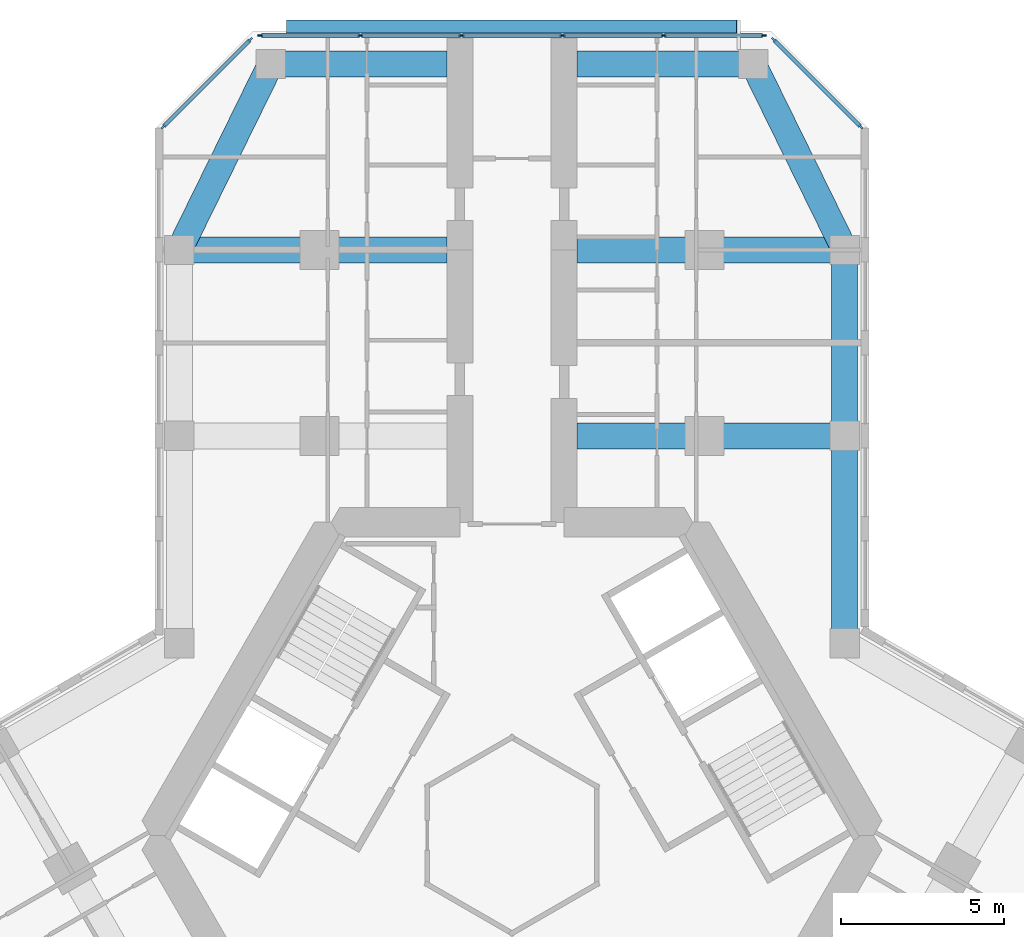
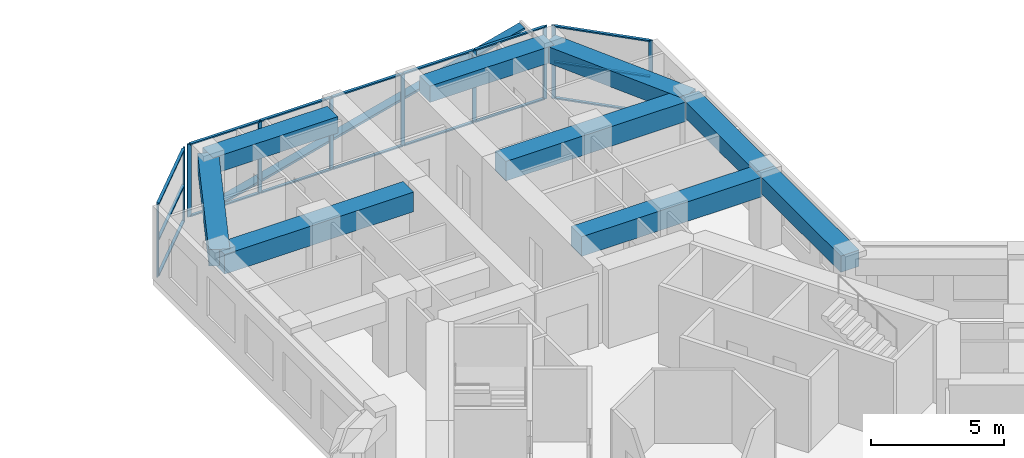
# One storey, part 7 of 19: 27 members, 9 beams, 3 elements without a shape of their own.
"""IFC4 building model written with IfcOpenShell, lengths in metres."""

from ifc_helpers import new_model, si_unit, direction, frame, origin, origin_2d, place, context, subcontext, project, spatial, rectangle, extrude, material, material_profile, profile_set, type_object, element, aggregate, save


model = new_model("IFC4")

# Units and contexts
model_context = context("Model", 3, precision=1e-05, world=origin(), true_north=direction((0.0, 1.0)))
body_context = subcontext(model_context, "Body", "Model", "MODEL_VIEW")
ifc_project = project(units=[si_unit("LENGTHUNIT", "METRE"), si_unit("AREAUNIT", "SQUARE_METRE"), si_unit("VOLUMEUNIT", "CUBIC_METRE"), si_unit("PLANEANGLEUNIT", "RADIAN"), si_unit("MASSUNIT", "GRAM", prefix="KILO")], contexts=[model_context])

# Site, building, storey
site_placement = place(None, origin())
site = spatial("IfcSite", under=ifc_project, at=site_placement, CompositionType="ELEMENT")
building_placement = place(site_placement, origin())
building = spatial("IfcBuilding", under=site, at=building_placement, Name="Kosmar Iwan School Tower", CompositionType="ELEMENT")
storey_placement = place(building_placement, frame((0.0, 0.0, 141.800048828125)))
storey = spatial("IfcBuildingStorey", under=building, at=storey_placement, Name="L35", CompositionType="ELEMENT", Elevation=141.800048828125)

# Member
ifc_material_1 = material(Name="Black anodised aluminium", Category="aluminium")
ifc_material_profile_1 = material_profile(ifc_material_1, rectangle(XDim=0.10009765625, YDim=0.39990234375, at=origin_2d()), Name="FIN 100x400")
ifc_profile_set_1 = profile_set([ifc_material_profile_1], Name="Black anodised aluminium")
member_type_1 = type_object("IfcMemberType", Name="Diagonal fin 100x400", PredefinedType="USERDEFINED", material=ifc_profile_set_1)
member_1_placement = place(storey_placement, frame((-6.898193359375, 24.800048828125, -0.150146484375), z_axis=(0.967599450335, 0.0, 0.252490205179), x_axis=(-0.252490205179, 0.0, 0.967599450335)))
element("IfcMember", 1, at=member_1_placement, inside=storey, type_object=member_type_1, Name="Diagonal fin L35-F08", ObjectType="FIN", PredefinedType="USERDEFINED", context=body_context, shape_type="SweptSolid", body=[
    extrude(rectangle(XDim=0.10009765625, YDim=0.39990234375, at=origin_2d()), origin(), (0.0, 0.0, 1.0), 14.25830078125),
])

# Curtain wall, members
ifc_material_2 = material(Name="Dark glass in black aluminium frame", Category="aluminium")
curtain_wall_type_1 = type_object("IfcCurtainWallType", Name="Chamfer curtain wall dark glass", PredefinedType="USERDEFINED", material=ifc_material_2)
curtain_wall_1_placement = place(storey_placement, origin())
curtain_wall_1 = element("IfcCurtainWall", 2, at=curtain_wall_1_placement, inside=storey, type_object=curtain_wall_type_1, Name="Curtain wall L35-F07", ObjectType="FACETED CURTAIN WALL", PredefinedType="USERDEFINED")
ifc_material_3 = material(Name="Black anodised aluminium", Category="aluminium")
ifc_material_profile_2 = material_profile(ifc_material_3, rectangle(XDim=0.06005859375, YDim=0.159912109375, at=origin_2d()), Name="MULLION 60x160")
ifc_profile_set_2 = profile_set([ifc_material_profile_2], Name="Black anodised aluminium")
member_type_2 = type_object("IfcMemberType", Name="Mullion 60x160", PredefinedType="MULLION", material=ifc_profile_set_2)
member_2_placement = place(storey_placement, frame((10.69775390625, 21.7255859375, 0.0), z_axis=(0.0, 0.0, 1.0), x_axis=(-0.707106781187, -0.707106781187, 0.0)))
member_2 = element("IfcMember", 3, at=member_2_placement, type_object=member_type_2, Name="CW2 mullion 1", PredefinedType="MULLION", context=body_context, shape_type="SweptSolid", body=[
    extrude(rectangle(XDim=0.06005859375, YDim=0.159912109375, at=origin_2d()), origin(), (0.0, 0.0, 1.0), 3.349853515625),
])
member_3_placement = place(storey_placement, frame((8.025390625, 24.397705078125, 0.0), z_axis=(0.0, 0.0, 1.0), x_axis=(-0.707106781187, -0.707106781187, 0.0)))
member_3 = element("IfcMember", 4, at=member_3_placement, type_object=member_type_2, Name="CW2 mullion 2", PredefinedType="MULLION", context=body_context, shape_type="SweptSolid", body=[
    extrude(rectangle(XDim=0.06005859375, YDim=0.159912109375, at=origin_2d()), origin(), (0.0, 0.0, 1.0), 3.349853515625),
])

ifc_material_4 = material(Name="Dark glass in black aluminium frame", Category="aluminium")
curtain_wall_type_2 = type_object("IfcCurtainWallType", Name="Tower curtain wall dark glass", PredefinedType="USERDEFINED", material=ifc_material_4)
curtain_wall_2_placement = place(storey_placement, origin())
curtain_wall_2 = element("IfcCurtainWall", 5, at=curtain_wall_2_placement, inside=storey, type_object=curtain_wall_type_2, Name="Curtain wall L35-F08", ObjectType="UNITISED CURTAIN WALL", PredefinedType="USERDEFINED")
member_4_placement = place(storey_placement, frame((7.71826171875, 24.52490234375, 0.0), z_axis=(0.0, 0.0, 1.0), x_axis=(0.0, -1.0, 0.0)))
member_4 = element("IfcMember", 6, at=member_4_placement, type_object=member_type_2, Name="CW1 mullion 1", PredefinedType="MULLION", context=body_context, shape_type="SweptSolid", body=[
    extrude(rectangle(XDim=0.06005859375, YDim=0.159912109375, at=origin_2d()), origin(), (0.0, 0.0, 1.0), 3.349853515625),
])
member_5_placement = place(storey_placement, frame((4.64892578125, 24.52490234375, 0.0), z_axis=(0.0, 0.0, 1.0), x_axis=(0.0, -1.0, 0.0)))
member_5 = element("IfcMember", 7, at=member_5_placement, type_object=member_type_2, Name="CW1 mullion 2", PredefinedType="MULLION", context=body_context, shape_type="SweptSolid", body=[
    extrude(rectangle(XDim=0.06005859375, YDim=0.159912109375, at=origin_2d()), origin(), (0.0, 0.0, 1.0), 3.349853515625),
])
member_6_placement = place(storey_placement, frame((1.549560546875, 24.52490234375, 0.0), z_axis=(0.0, 0.0, 1.0), x_axis=(0.0, -1.0, 0.0)))
member_6 = element("IfcMember", 8, at=member_6_placement, type_object=member_type_2, Name="CW1 mullion 3", PredefinedType="MULLION", context=body_context, shape_type="SweptSolid", body=[
    extrude(rectangle(XDim=0.06005859375, YDim=0.159912109375, at=origin_2d()), origin(), (0.0, 0.0, 1.0), 3.349853515625),
])
member_7_placement = place(storey_placement, frame((-1.549560546875, 24.52490234375, 0.0), z_axis=(0.0, 0.0, 1.0), x_axis=(0.0, -1.0, 0.0)))
member_7 = element("IfcMember", 9, at=member_7_placement, type_object=member_type_2, Name="CW1 mullion 4", PredefinedType="MULLION", context=body_context, shape_type="SweptSolid", body=[
    extrude(rectangle(XDim=0.06005859375, YDim=0.159912109375, at=origin_2d()), origin(), (0.0, 0.0, 1.0), 3.349853515625),
])
member_8_placement = place(storey_placement, frame((-4.64892578125, 24.52490234375, 0.0), z_axis=(0.0, 0.0, 1.0), x_axis=(0.0, -1.0, 0.0)))
member_8 = element("IfcMember", 10, at=member_8_placement, type_object=member_type_2, Name="CW1 mullion 5", PredefinedType="MULLION", context=body_context, shape_type="SweptSolid", body=[
    extrude(rectangle(XDim=0.06005859375, YDim=0.159912109375, at=origin_2d()), origin(), (0.0, 0.0, 1.0), 3.349853515625),
])
member_9_placement = place(storey_placement, frame((-7.71826171875, 24.52490234375, 0.0), z_axis=(0.0, 0.0, 1.0), x_axis=(0.0, -1.0, 0.0)))
member_9 = element("IfcMember", 11, at=member_9_placement, type_object=member_type_2, Name="CW1 mullion 6", PredefinedType="MULLION", context=body_context, shape_type="SweptSolid", body=[
    extrude(rectangle(XDim=0.06005859375, YDim=0.159912109375, at=origin_2d()), origin(), (0.0, 0.0, 1.0), 3.349853515625),
])

curtain_wall_3_placement = place(storey_placement, origin())
curtain_wall_3 = element("IfcCurtainWall", 12, at=curtain_wall_3_placement, inside=storey, type_object=curtain_wall_type_1, Name="Curtain wall L35-F09", ObjectType="FACETED CURTAIN WALL", PredefinedType="USERDEFINED")
member_10_placement = place(storey_placement, frame((-8.025390625, 24.397705078125, 0.0), z_axis=(0.0, 0.0, 1.0), x_axis=(0.707106781187, -0.707106781187, 0.0)))
member_10 = element("IfcMember", 13, at=member_10_placement, type_object=member_type_2, Name="CW2 mullion 1", PredefinedType="MULLION", context=body_context, shape_type="SweptSolid", body=[
    extrude(rectangle(XDim=0.06005859375, YDim=0.159912109375, at=origin_2d()), origin(), (0.0, 0.0, 1.0), 3.349853515625),
])
member_11_placement = place(storey_placement, frame((-10.69775390625, 21.7255859375, 0.0), z_axis=(0.0, 0.0, 1.0), x_axis=(0.707106781187, -0.707106781187, 0.0)))
member_11 = element("IfcMember", 14, at=member_11_placement, type_object=member_type_2, Name="CW2 mullion 2", PredefinedType="MULLION", context=body_context, shape_type="SweptSolid", body=[
    extrude(rectangle(XDim=0.06005859375, YDim=0.159912109375, at=origin_2d()), origin(), (0.0, 0.0, 1.0), 3.349853515625),
])

# Beams
ifc_material_5 = material(Name="Concrete C50/60", Category="concrete")
ifc_material_profile_3 = material_profile(ifc_material_5, rectangle(XDim=0.800048828125, YDim=0.75, at=origin_2d()), Name="RC 800x750")
ifc_profile_set_3 = profile_set([ifc_material_profile_3], Name="Concrete C50/60")
beam_type_1 = type_object("IfcBeamType", Name="RC edge beam 800x750", PredefinedType="BEAM", material=ifc_profile_set_3)
beam_1_placement = place(storey_placement, frame((10.199951171875, 5.888916015625, 2.974853515625), z_axis=(0.0, 1.0, 0.0), x_axis=(-1.0, 0.0, 0.0)))
element("IfcBeam", 15, at=beam_1_placement, inside=storey, type_object=beam_type_1, Name="Edge beam AR1", PredefinedType="BEAM", context=body_context, shape_type="SweptSolid", body=[
    extrude(rectangle(XDim=0.800048828125, YDim=0.75, at=origin_2d()), origin(), (0.0, 0.0, 1.0), 6.361083984375),
])
beam_2_placement = place(storey_placement, frame((10.199951171875, 12.25, 2.974853515625), z_axis=(0.0, 1.0, 0.0), x_axis=(-1.0, 0.0, 0.0)))
element("IfcBeam", 16, at=beam_2_placement, inside=storey, type_object=beam_type_1, Name="Edge beam AR2", PredefinedType="BEAM", context=body_context, shape_type="SweptSolid", body=[
    extrude(rectangle(XDim=0.800048828125, YDim=0.75, at=origin_2d()), origin(), (0.0, 0.0, 1.0), 5.699951171875),
])
ifc_material_6 = material(Name="Concrete C50/60", Category="concrete")
ifc_material_profile_4 = material_profile(ifc_material_6, rectangle(XDim=0.800048828125, YDim=0.75, at=origin_2d()), Name="RC 800x750")
ifc_profile_set_4 = profile_set([ifc_material_profile_4], Name="Concrete C50/60")
beam_type_2 = type_object("IfcBeamType", Name="RC tip beam 800x750", PredefinedType="BEAM", material=ifc_profile_set_4)
beam_3_placement = place(storey_placement, frame((-10.199951171875, 17.949951171875, 2.974853515625), z_axis=(0.440913116462, 0.897549788999, 0.0), x_axis=(-0.897549788999, 0.440913116462, 0.0)))
element("IfcBeam", 17, at=beam_3_placement, inside=storey, type_object=beam_type_2, Name="Tip beam AL", PredefinedType="BEAM", context=body_context, shape_type="SweptSolid", body=[
    extrude(rectangle(XDim=0.800048828125, YDim=0.75, at=origin_2d()), origin(), (0.0, 0.0, 1.0), 6.3505859375),
])
beam_4_placement = place(storey_placement, frame((-7.39990234375, 23.64990234375, 2.974853515625), z_axis=(1.0, 0.0, 0.0), x_axis=(0.0, 1.0, 0.0)))
element("IfcBeam", 18, at=beam_4_placement, inside=storey, type_object=beam_type_2, Name="Tip beam AL to corridor wall", PredefinedType="BEAM", context=body_context, shape_type="SweptSolid", body=[
    extrude(rectangle(XDim=0.800048828125, YDim=0.75, at=origin_2d()), origin(), (0.0, 0.0, 1.0), 5.39990234375),
])
beam_5_placement = place(storey_placement, frame((10.199951171875, 17.949951171875, 2.974853515625), z_axis=(-0.440913116462, 0.897549788999, 0.0), x_axis=(-0.897549788999, -0.440913116462, 0.0)))
element("IfcBeam", 19, at=beam_5_placement, inside=storey, type_object=beam_type_2, Name="Tip beam AR", PredefinedType="BEAM", context=body_context, shape_type="SweptSolid", body=[
    extrude(rectangle(XDim=0.800048828125, YDim=0.75, at=origin_2d()), origin(), (0.0, 0.0, 1.0), 6.3505859375),
])
beam_6_placement = place(storey_placement, frame((7.39990234375, 23.64990234375, 2.974853515625), z_axis=(-1.0, 0.0, 0.0), x_axis=(0.0, -1.0, 0.0)))
element("IfcBeam", 20, at=beam_6_placement, inside=storey, type_object=beam_type_2, Name="Tip beam AR to corridor wall", PredefinedType="BEAM", context=body_context, shape_type="SweptSolid", body=[
    extrude(rectangle(XDim=0.800048828125, YDim=0.75, at=origin_2d()), origin(), (0.0, 0.0, 1.0), 5.39990234375),
])
ifc_material_7 = material(Name="Concrete C50/60", Category="concrete")
ifc_material_profile_5 = material_profile(ifc_material_7, rectangle(XDim=0.800048828125, YDim=0.89990234375, at=origin_2d()), Name="RC 800x900")
ifc_profile_set_5 = profile_set([ifc_material_profile_5], Name="Concrete C50/60")
beam_type_3 = type_object("IfcBeamType", Name="RC transverse beam 800x900", PredefinedType="BEAM", material=ifc_profile_set_5)
for number, where, z_axis, x_axis, name in (
    (21, (-10.199951171875, 17.949951171875, 2.89990234375), (1.0, 0.0, 0.0), (0.0, 1.0, 0.0), "Transverse beam AL2"),
    (22, (10.199951171875, 12.25, 2.89990234375), (-1.0, 0.0, 0.0), (0.0, -1.0, 0.0), "Transverse beam AR1"),
    (23, (10.199951171875, 17.949951171875, 2.89990234375), (-1.0, 0.0, 0.0), (0.0, -1.0, 0.0), "Transverse beam AR2"),
):
    element("IfcBeam", number, at=place(storey_placement, frame(where, z_axis=z_axis, x_axis=x_axis)), inside=storey, type_object=beam_type_3, Name=name, PredefinedType="BEAM", context=body_context, shape_type="SweptSolid", body=[
        extrude(rectangle(XDim=0.800048828125, YDim=0.89990234375, at=origin_2d()), origin(), (0.0, 0.0, 1.0), 8.199951171875),
    ])

# Member
ifc_material_8 = material(Name="Black anodised aluminium", Category="aluminium")
ifc_material_profile_6 = material_profile(ifc_material_8, rectangle(XDim=0.1201171875, YDim=0.06005859375, at=origin_2d()), Name="TRANSOM 60x120")
ifc_profile_set_6 = profile_set([ifc_material_profile_6], Name="Black anodised aluminium")
member_type_3 = type_object("IfcMemberType", Name="Transom 60x120", PredefinedType="USERDEFINED", material=ifc_profile_set_6)
member_12_placement = place(storey_placement, frame((10.676513671875, 21.746826171875, 0.030029296875), z_axis=(-0.707139603466, 0.707073957383, 0.0), x_axis=(-0.707073957383, -0.707139603466, 0.0)))
member_12 = element("IfcMember", 24, at=member_12_placement, type_object=member_type_3, Name="CW2 transom 1.1", ObjectType="TRANSOM", PredefinedType="USERDEFINED", context=body_context, shape_type="SweptSolid", body=[
    extrude(rectangle(XDim=0.1201171875, YDim=0.06005859375, at=origin_2d()), origin(), (0.0, 0.0, 1.0), 3.718994140625),
])

member_13_placement = place(storey_placement, frame((10.676513671875, 21.746826171875, 1.675048828125), z_axis=(-0.707139603466, 0.707073957383, 0.0), x_axis=(-0.707073957383, -0.707139603466, 0.0)))
member_13 = element("IfcMember", 25, at=member_13_placement, type_object=member_type_3, Name="CW2 transom 1.2", ObjectType="TRANSOM", PredefinedType="USERDEFINED", context=body_context, shape_type="SweptSolid", body=[
    extrude(rectangle(XDim=0.1201171875, YDim=0.06005859375, at=origin_2d()), origin(), (0.0, 0.0, 1.0), 3.718994140625),
])

member_14_placement = place(storey_placement, frame((10.676513671875, 21.746826171875, 3.320068359375), z_axis=(-0.707139603466, 0.707073957383, 0.0), x_axis=(-0.707073957383, -0.707139603466, 0.0)))
member_14 = element("IfcMember", 26, at=member_14_placement, type_object=member_type_3, Name="CW2 transom 1.3", ObjectType="TRANSOM", PredefinedType="USERDEFINED", context=body_context, shape_type="SweptSolid", body=[
    extrude(rectangle(XDim=0.1201171875, YDim=0.06005859375, at=origin_2d()), origin(), (0.0, 0.0, 1.0), 3.718994140625),
])

aggregate(curtain_wall_1, [member_2, member_3, member_12, member_13, member_14])

member_15_placement = place(storey_placement, frame((7.688232421875, 24.52490234375, 0.030029296875), z_axis=(-1.0, 0.0, 0.0), x_axis=(0.0, -1.0, 0.0)))
member_15 = element("IfcMember", 27, at=member_15_placement, type_object=member_type_3, Name="CW1 transom 1.1", ObjectType="TRANSOM", PredefinedType="USERDEFINED", context=body_context, shape_type="SweptSolid", body=[
    extrude(rectangle(XDim=0.1201171875, YDim=0.06005859375, at=origin_2d()), origin(), (0.0, 0.0, 1.0), 3.00927734375),
])

member_16_placement = place(storey_placement, frame((7.688232421875, 24.52490234375, 3.320068359375), z_axis=(-1.0, 0.0, 0.0), x_axis=(0.0, -1.0, 0.0)))
member_16 = element("IfcMember", 28, at=member_16_placement, type_object=member_type_3, Name="CW1 transom 1.2", ObjectType="TRANSOM", PredefinedType="USERDEFINED", context=body_context, shape_type="SweptSolid", body=[
    extrude(rectangle(XDim=0.1201171875, YDim=0.06005859375, at=origin_2d()), origin(), (0.0, 0.0, 1.0), 3.00927734375),
])

member_17_placement = place(storey_placement, frame((4.618896484375, 24.52490234375, 0.030029296875), z_axis=(-1.0, 0.0, 0.0), x_axis=(0.0, -1.0, 0.0)))
member_17 = element("IfcMember", 29, at=member_17_placement, type_object=member_type_3, Name="CW1 transom 2.1", ObjectType="TRANSOM", PredefinedType="USERDEFINED", context=body_context, shape_type="SweptSolid", body=[
    extrude(rectangle(XDim=0.1201171875, YDim=0.06005859375, at=origin_2d()), origin(), (0.0, 0.0, 1.0), 3.039306640625),
])

member_18_placement = place(storey_placement, frame((4.618896484375, 24.52490234375, 3.320068359375), z_axis=(-1.0, 0.0, 0.0), x_axis=(0.0, -1.0, 0.0)))
member_18 = element("IfcMember", 30, at=member_18_placement, type_object=member_type_3, Name="CW1 transom 2.2", ObjectType="TRANSOM", PredefinedType="USERDEFINED", context=body_context, shape_type="SweptSolid", body=[
    extrude(rectangle(XDim=0.1201171875, YDim=0.06005859375, at=origin_2d()), origin(), (0.0, 0.0, 1.0), 3.039306640625),
])

member_19_placement = place(storey_placement, frame((1.51953125, 24.52490234375, 0.030029296875), z_axis=(-1.0, 0.0, 0.0), x_axis=(0.0, -1.0, 0.0)))
member_19 = element("IfcMember", 31, at=member_19_placement, type_object=member_type_3, Name="CW1 transom 3.1", ObjectType="TRANSOM", PredefinedType="USERDEFINED", context=body_context, shape_type="SweptSolid", body=[
    extrude(rectangle(XDim=0.1201171875, YDim=0.06005859375, at=origin_2d()), origin(), (0.0, 0.0, 1.0), 3.0390625),
])

member_20_placement = place(storey_placement, frame((1.51953125, 24.52490234375, 3.320068359375), z_axis=(-1.0, 0.0, 0.0), x_axis=(0.0, -1.0, 0.0)))
member_20 = element("IfcMember", 32, at=member_20_placement, type_object=member_type_3, Name="CW1 transom 3.2", ObjectType="TRANSOM", PredefinedType="USERDEFINED", context=body_context, shape_type="SweptSolid", body=[
    extrude(rectangle(XDim=0.1201171875, YDim=0.06005859375, at=origin_2d()), origin(), (0.0, 0.0, 1.0), 3.0390625),
])

member_21_placement = place(storey_placement, frame((-1.57958984375, 24.52490234375, 0.030029296875), z_axis=(-1.0, 0.0, 0.0), x_axis=(0.0, -1.0, 0.0)))
member_21 = element("IfcMember", 33, at=member_21_placement, type_object=member_type_3, Name="CW1 transom 4.1", ObjectType="TRANSOM", PredefinedType="USERDEFINED", context=body_context, shape_type="SweptSolid", body=[
    extrude(rectangle(XDim=0.1201171875, YDim=0.06005859375, at=origin_2d()), origin(), (0.0, 0.0, 1.0), 3.039306640625),
])

member_22_placement = place(storey_placement, frame((-1.57958984375, 24.52490234375, 3.320068359375), z_axis=(-1.0, 0.0, 0.0), x_axis=(0.0, -1.0, 0.0)))
member_22 = element("IfcMember", 34, at=member_22_placement, type_object=member_type_3, Name="CW1 transom 4.2", ObjectType="TRANSOM", PredefinedType="USERDEFINED", context=body_context, shape_type="SweptSolid", body=[
    extrude(rectangle(XDim=0.1201171875, YDim=0.06005859375, at=origin_2d()), origin(), (0.0, 0.0, 1.0), 3.039306640625),
])

member_23_placement = place(storey_placement, frame((-4.678955078125, 24.52490234375, 0.030029296875), z_axis=(-1.0, 0.0, 0.0), x_axis=(0.0, -1.0, 0.0)))
member_23 = element("IfcMember", 35, at=member_23_placement, type_object=member_type_3, Name="CW1 transom 5.1", ObjectType="TRANSOM", PredefinedType="USERDEFINED", context=body_context, shape_type="SweptSolid", body=[
    extrude(rectangle(XDim=0.1201171875, YDim=0.06005859375, at=origin_2d()), origin(), (0.0, 0.0, 1.0), 3.00927734375),
])

member_24_placement = place(storey_placement, frame((-4.678955078125, 24.52490234375, 3.320068359375), z_axis=(-1.0, 0.0, 0.0), x_axis=(0.0, -1.0, 0.0)))
member_24 = element("IfcMember", 36, at=member_24_placement, type_object=member_type_3, Name="CW1 transom 5.2", ObjectType="TRANSOM", PredefinedType="USERDEFINED", context=body_context, shape_type="SweptSolid", body=[
    extrude(rectangle(XDim=0.1201171875, YDim=0.06005859375, at=origin_2d()), origin(), (0.0, 0.0, 1.0), 3.00927734375),
])

aggregate(curtain_wall_2, [member_4, member_5, member_6, member_7, member_8, member_9, member_15, member_16, member_17, member_18, member_19, member_20, member_21, member_22, member_23, member_24])

member_25_placement = place(storey_placement, frame((-8.046630859375, 24.37646484375, 0.030029296875), z_axis=(-0.707139603466, -0.707073957383, 0.0), x_axis=(0.707073957383, -0.707139603466, 0.0)))
member_25 = element("IfcMember", 37, at=member_25_placement, type_object=member_type_3, Name="CW2 transom 1.1", ObjectType="TRANSOM", PredefinedType="USERDEFINED", context=body_context, shape_type="SweptSolid", body=[
    extrude(rectangle(XDim=0.1201171875, YDim=0.06005859375, at=origin_2d()), origin(), (0.0, 0.0, 1.0), 3.718994140625),
])

member_26_placement = place(storey_placement, frame((-8.046630859375, 24.37646484375, 1.675048828125), z_axis=(-0.707139603466, -0.707073957383, 0.0), x_axis=(0.707073957383, -0.707139603466, 0.0)))
member_26 = element("IfcMember", 38, at=member_26_placement, type_object=member_type_3, Name="CW2 transom 1.2", ObjectType="TRANSOM", PredefinedType="USERDEFINED", context=body_context, shape_type="SweptSolid", body=[
    extrude(rectangle(XDim=0.1201171875, YDim=0.06005859375, at=origin_2d()), origin(), (0.0, 0.0, 1.0), 3.718994140625),
])

member_27_placement = place(storey_placement, frame((-8.046630859375, 24.37646484375, 3.320068359375), z_axis=(-0.707139603466, -0.707073957383, 0.0), x_axis=(0.707073957383, -0.707139603466, 0.0)))
member_27 = element("IfcMember", 39, at=member_27_placement, type_object=member_type_3, Name="CW2 transom 1.3", ObjectType="TRANSOM", PredefinedType="USERDEFINED", context=body_context, shape_type="SweptSolid", body=[
    extrude(rectangle(XDim=0.1201171875, YDim=0.06005859375, at=origin_2d()), origin(), (0.0, 0.0, 1.0), 3.718994140625),
])

aggregate(curtain_wall_3, [member_10, member_11, member_25, member_26, member_27])

save(model, "model.ifc")
